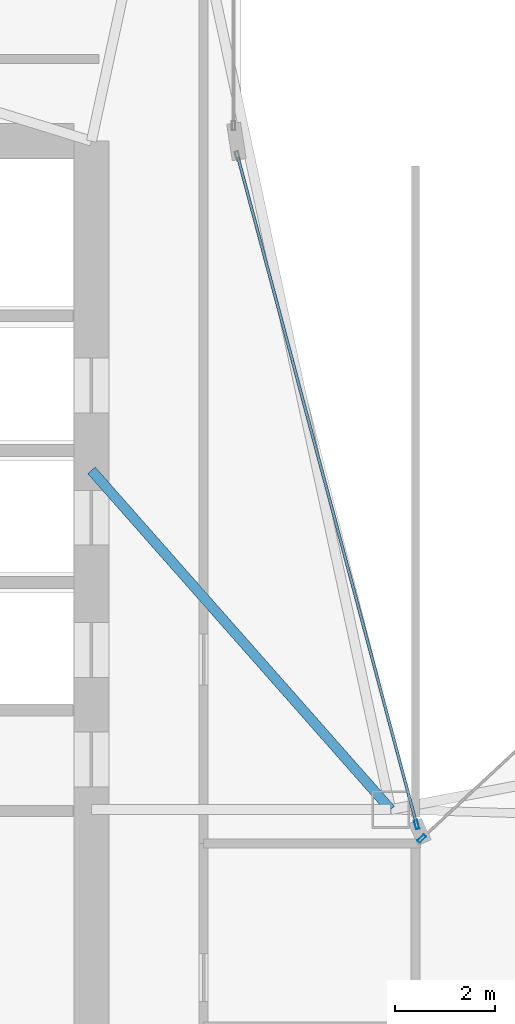
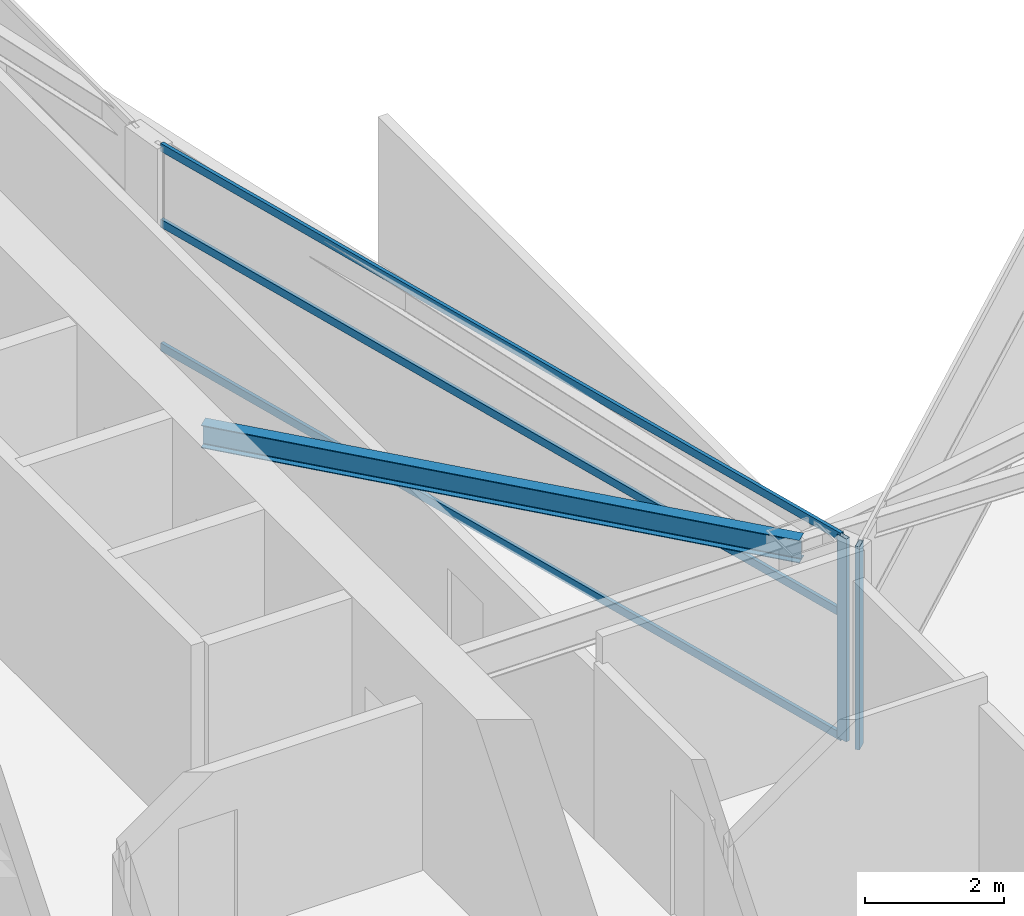
# One storey, part 10 of 27: 5 members, 1 beam, 2 elements without a shape of their own.
"""IFC4 building model written with IfcOpenShell, lengths in metres."""

from ifc_helpers import new_model, si_unit, direction, frame, origin, origin_2d, place, context, subcontext, project, spatial, hollow_rectangle, i_section, extrude, material, layer, layer_set, material_profile, profile_set, type_object, element, aggregate, save


model = new_model("IFC4")

# Units and contexts
model_context = context("Model", 3, precision=1e-05, world=origin(), true_north=direction((0.0, 1.0)))
body_context = subcontext(model_context, "Body", "Model", "MODEL_VIEW")
ifc_project = project(units=[si_unit("LENGTHUNIT", "METRE"), si_unit("AREAUNIT", "SQUARE_METRE"), si_unit("VOLUMEUNIT", "CUBIC_METRE"), si_unit("PLANEANGLEUNIT", "RADIAN"), si_unit("MASSUNIT", "GRAM", prefix="KILO")], contexts=[model_context])

# Site, building, storey
site_placement = place(None, origin())
site = spatial("IfcSite", under=ifc_project, at=site_placement, CompositionType="ELEMENT")
building_placement = place(site_placement, origin())
building = spatial("IfcBuilding", under=site, at=building_placement, Name="Calvorn Quay Hotel", CompositionType="ELEMENT")
storey_placement = place(building_placement, frame((0.0, 0.0, 223.10009765625)))
storey = spatial("IfcBuildingStorey", under=building, at=storey_placement, Name="L55", CompositionType="ELEMENT", Elevation=223.10009765625)

# Beam
ifc_material_1 = material(Name="Steel Q355B", Category="steel")
ifc_material_profile_1 = material_profile(ifc_material_1, i_section(OverallWidth=0.199951171875, OverallDepth=0.39990234375, WebThickness=0.008056640625, FlangeThickness=0.012939453125, FilletRadius=0.01611328125, at=origin_2d()), Name="HN400x200x8x13")
ifc_profile_set_1 = profile_set([ifc_material_profile_1], Name="Steel Q355B")
beam_type = type_object("IfcBeamType", Name="BM-JOIST-TYP", PredefinedType="JOIST", material=ifc_profile_set_1)
beam_placement = place(storey_placement, frame((15.0, 31.800048828125, 3.33984375), z_axis=(0.661618965899, -0.749840212287, 0.0), x_axis=(0.749840212287, 0.661618965899, 0.0)))
element("IfcBeam", 1, at=beam_placement, inside=storey, type_object=beam_type, Name="Beam BJ-L55-C1", PredefinedType="JOIST", context=body_context, shape_type="SweptSolid", body=[
    extrude(i_section(OverallWidth=0.199951171875, OverallDepth=0.39990234375, WebThickness=0.008056640625, FlangeThickness=0.012939453125, FilletRadius=0.01611328125, at=origin_2d()), origin(), (0.0, 0.0, 1.0), 9.068603515625),
])

# Curtain wall, member
ifc_material_2 = material(Name="Champagne Bronze Anodised Aluminium and Low-E Glass", Category="aluminium")
ifc_layer = layer(ifc_material_2, 0.219970703125)
ifc_layer_set = layer_set([ifc_layer], Name="CW-SYS-Z3")
curtain_wall_type = type_object("IfcCurtainWallType", Name="CW-SYS-Z3", PredefinedType="NOTDEFINED", material=ifc_layer_set)
curtain_wall_1_placement = place(storey_placement, origin())
curtain_wall_1 = element("IfcCurtainWall", 2, at=curtain_wall_1_placement, inside=storey, type_object=curtain_wall_type, Name="Inner Court Curtain Wall L55-NE1", PredefinedType="NOTDEFINED")
ifc_material_3 = material(Name="Champagne Bronze Anodised Aluminium 6063-T6", Category="aluminium")
ifc_material_profile_2 = material_profile(ifc_material_3, hollow_rectangle(XDim=0.068115234375, YDim=0.18505859375, WallThickness=0.00390625, at=origin_2d()), Name="ALU-M185x68x4")
ifc_profile_set_2 = profile_set([ifc_material_profile_2], Name="Champagne Bronze Anodised Aluminium 6063-T6")
member_type_1 = type_object("IfcMemberType", Name="CW-SYS-Z3-MUL", PredefinedType="MULLION", material=ifc_profile_set_2)
member_1_placement = place(storey_placement, frame((21.6220703125, 24.42041015625, 0.0), z_axis=(0.0, 0.0, 1.0), x_axis=(0.681603655102, -0.731721570922, 0.0)))
member_1 = element("IfcMember", 3, at=member_1_placement, type_object=member_type_1, Name="CW-L55-NE1 mullion 3", PredefinedType="MULLION", context=body_context, shape_type="SweptSolid", body=[
    extrude(hollow_rectangle(XDim=0.068115234375, YDim=0.18505859375, WallThickness=0.00390625, at=origin_2d()), origin(), (0.0, 0.0, 1.0), 3.559814453125),
])
aggregate(curtain_wall_1, [member_1])

# Curtain wall, members
curtain_wall_2_placement = place(storey_placement, origin())
curtain_wall_2 = element("IfcCurtainWall", 4, at=curtain_wall_2_placement, inside=storey, type_object=curtain_wall_type, Name="Inner Court Curtain Wall L55-IC1", PredefinedType="NOTDEFINED")
member_2_placement = place(storey_placement, frame((21.520263671875, 24.698974609375, 0.0), z_axis=(0.0, 0.0, 1.0), x_axis=(-0.96593652056, -0.25877913024, 0.0)))
member_2 = element("IfcMember", 5, at=member_2_placement, type_object=member_type_1, Name="CW-L55-IC1 mullion 1", PredefinedType="MULLION", context=body_context, shape_type="SweptSolid", body=[
    extrude(hollow_rectangle(XDim=0.068115234375, YDim=0.18505859375, WallThickness=0.00390625, at=origin_2d()), origin(), (0.0, 0.0, 1.0), 3.559814453125),
])
ifc_material_4 = material(Name="Champagne Bronze Anodised Aluminium 6063-T6", Category="aluminium")
ifc_material_profile_3 = material_profile(ifc_material_4, hollow_rectangle(XDim=0.05810546875, YDim=0.139892578125, WallThickness=0.003173828125, at=origin_2d()), Name="ALU-T140x58x3.2")
ifc_profile_set_3 = profile_set([ifc_material_profile_3], Name="Champagne Bronze Anodised Aluminium 6063-T6")
member_type_2 = type_object("IfcMemberType", Name="CW-SYS-Z3-TRN", PredefinedType="USERDEFINED", material=ifc_profile_set_3)
member_3_placement = place(storey_placement, frame((21.512451171875, 24.72802734375, 0.02978515625), z_axis=(-0.258781136883, 0.965935982969, 0.0), x_axis=(-0.965935982969, -0.258781136883, 0.0)))
member_3 = element("IfcMember", 6, at=member_3_placement, type_object=member_type_2, Name="CW-L55-IC1 transom 1.1", ObjectType="TRANSOM", PredefinedType="USERDEFINED", context=body_context, shape_type="SweptSolid", body=[
    extrude(hollow_rectangle(XDim=0.05810546875, YDim=0.139892578125, WallThickness=0.003173828125, at=origin_2d()), origin(), (0.0, 0.0, 1.0), 13.814453125),
])
member_4_placement = place(storey_placement, frame((21.512451171875, 24.72802734375, 2.199951171875), z_axis=(-0.258781136883, 0.965935982969, 0.0), x_axis=(-0.965935982969, -0.258781136883, 0.0)))
member_4 = element("IfcMember", 7, at=member_4_placement, type_object=member_type_2, Name="CW-L55-IC1 transom 1.2", ObjectType="TRANSOM", PredefinedType="USERDEFINED", context=body_context, shape_type="SweptSolid", body=[
    extrude(hollow_rectangle(XDim=0.05810546875, YDim=0.139892578125, WallThickness=0.003173828125, at=origin_2d()), origin(), (0.0, 0.0, 1.0), 13.814453125),
])
member_5_placement = place(storey_placement, frame((21.512451171875, 24.72802734375, 3.52978515625), z_axis=(-0.258781136883, 0.965935982969, 0.0), x_axis=(-0.965935982969, -0.258781136883, 0.0)))
member_5 = element("IfcMember", 8, at=member_5_placement, type_object=member_type_2, Name="CW-L55-IC1 transom 1.3", ObjectType="TRANSOM", PredefinedType="USERDEFINED", context=body_context, shape_type="SweptSolid", body=[
    extrude(hollow_rectangle(XDim=0.05810546875, YDim=0.139892578125, WallThickness=0.003173828125, at=origin_2d()), origin(), (0.0, 0.0, 1.0), 13.814453125),
])
aggregate(curtain_wall_2, [member_2, member_3, member_4, member_5])

save(model, "model.ifc")
